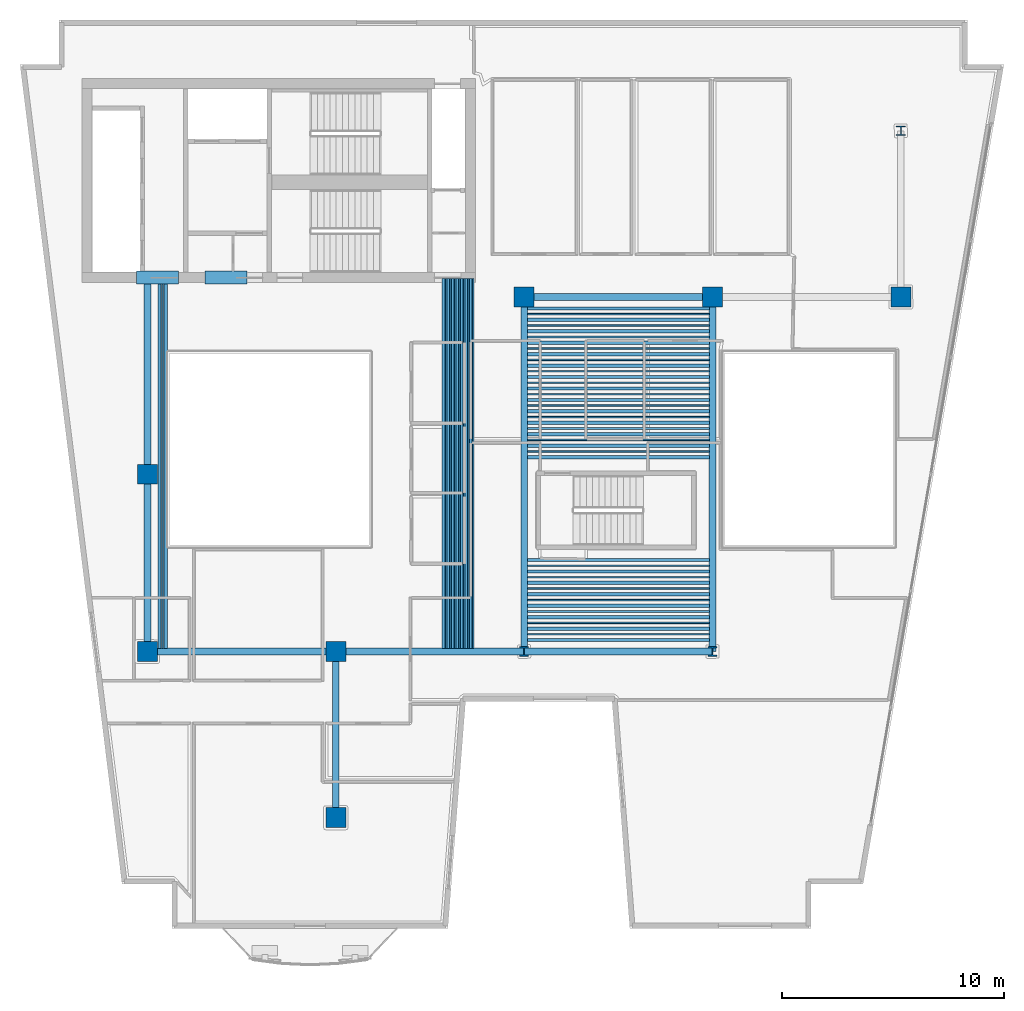
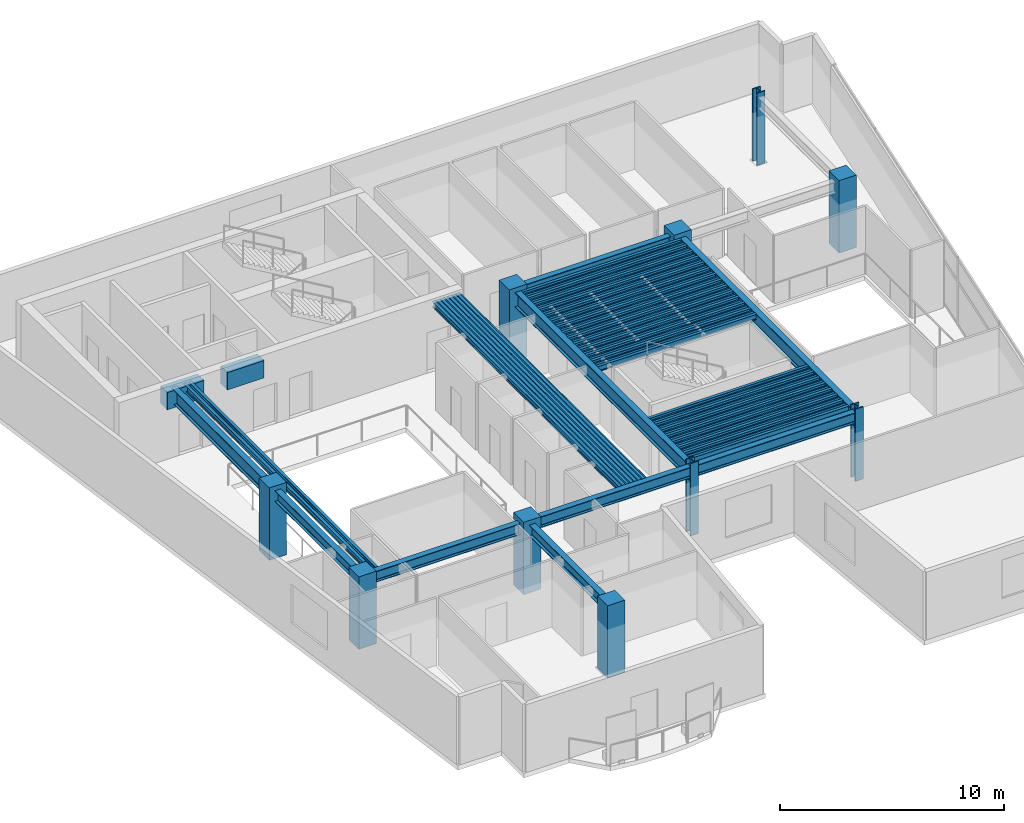
# One storey, part 1 of 10: 70 beams, 10 columns.
"""IFC4 building model written with IfcOpenShell, lengths in metres."""

from ifc_helpers import new_model, si_unit, direction, frame, origin, origin_2d, place, context, subcontext, project, spatial, rectangle, hollow_rectangle, i_section, extrude, material, material_profile, profile_set, type_object, element, save


model = new_model("IFC4")

# Units and contexts
model_context = context("Model", 3, precision=1e-05, world=origin(), true_north=direction((0.0, 1.0)))
body_context = subcontext(model_context, "Body", "Model", "MODEL_VIEW")
ifc_project = project(units=[si_unit("LENGTHUNIT", "METRE"), si_unit("AREAUNIT", "SQUARE_METRE"), si_unit("VOLUMEUNIT", "CUBIC_METRE"), si_unit("PLANEANGLEUNIT", "RADIAN"), si_unit("MASSUNIT", "GRAM", prefix="KILO")], contexts=[model_context])

# Site, building, storey
site_placement = place(None, origin())
site = spatial("IfcSite", under=ifc_project, at=site_placement, CompositionType="ELEMENT")
building_placement = place(site_placement, origin())
building = spatial("IfcBuilding", under=site, at=building_placement, Name="Caeloran Harvest Quay", CompositionType="ELEMENT")
storey_placement = place(building_placement, frame((0.0, 0.0, 219.300048828125)))
storey = spatial("IfcBuildingStorey", under=building, at=storey_placement, Name="L52", CompositionType="ELEMENT", Elevation=219.300048828125)

# Columns
ifc_material_1 = material(Name="Concrete C60/75", Category="concrete")
ifc_material_profile_1 = material_profile(ifc_material_1, rectangle(XDim=0.89990234375, YDim=0.89990234375, at=origin_2d()), Name="RC 900x900")
ifc_profile_set_1 = profile_set([ifc_material_profile_1], Name="Concrete C60/75")
column_type_1 = type_object("IfcColumnType", Name="COL-MC-4-RC_900x900", PredefinedType="COLUMN", material=ifc_profile_set_1)
for number, where, z_axis, x_axis, name in (
    (1, (8.5, 15.0, 0.0), (0.0, 0.0, 1.0), (1.0, 0.0, 0.0), "L52 Structural Column (8.5, 15.0)"),
    (2, (8.5, 23.0, 0.0), (0.0, 0.0, 1.0), (1.0, 0.0, 0.0), "L52 Structural Column (8.5, 23.0)"),
    (3, (17.0, 7.5, 0.0), (0.0, 0.0, 1.0), (1.0, 0.0, 0.0), "L52 Structural Column (17.0, 7.5)"),
    (4, (17.0, 15.0, 0.0), (0.0, 0.0, 1.0), (1.0, 0.0, 0.0), "L52 Structural Column (17.0, 15.0)"),
    (5, (25.5, 31.0, 0.0), (0.0, 0.0, 1.0), (1.0, 0.0, 0.0), "L52 Structural Column (25.5, 31.0)"),
    (6, (34.0, 31.0, 0.0), (0.0, 0.0, 1.0), (1.0, 0.0, 0.0), "L52 Structural Column (34.0, 31.0)"),
    (7, (42.5, 31.0, 0.0), (0.0, 0.0, 1.0), (1.0, 0.0, 0.0), "L52 Structural Column (42.5, 31.0)"),
):
    element("IfcColumn", number, at=place(storey_placement, frame(where, z_axis=z_axis, x_axis=x_axis)), inside=storey, type_object=column_type_1, Name=name, PredefinedType="COLUMN", context=body_context, shape_type="SweptSolid", body=[
        extrude(rectangle(XDim=0.89990234375, YDim=0.89990234375, at=origin_2d()), origin(), (0.0, 0.0, 1.0), 3.949951171875),
    ])
ifc_material_2 = material(Name="Steel HISTAR 460", Category="steel")
ifc_material_profile_2 = material_profile(ifc_material_2, i_section(OverallWidth=0.416015625, OverallDepth=0.446044921875, WebThickness=0.0390625, FlangeThickness=0.062744140625, FilletRadius=0.014892578125, at=origin_2d()), Name="HD 400x509")
ifc_profile_set_2 = profile_set([ifc_material_profile_2], Name="Steel HISTAR 460")
column_type_2 = type_object("IfcColumnType", Name="COL-SC-4-HD_400x509", PredefinedType="COLUMN", material=ifc_profile_set_2)
for number, where, z_axis, x_axis, name in (
    (8, (25.5, 15.0, 0.0), (0.0, 0.0, 1.0), (1.0, 0.0, 0.0), "L52 Structural Column (25.5, 15.0)"),
    (9, (34.0, 15.0, 0.0), (0.0, 0.0, 1.0), (1.0, 0.0, 0.0), "L52 Structural Column (34.0, 15.0)"),
    (10, (42.5, 38.5, 0.0), (0.0, 0.0, 1.0), (1.0, 0.0, 0.0), "L52 Structural Column (42.5, 38.5)"),
):
    element("IfcColumn", number, at=place(storey_placement, frame(where, z_axis=z_axis, x_axis=x_axis)), inside=storey, type_object=column_type_2, Name=name, PredefinedType="COLUMN", context=body_context, shape_type="SweptSolid", body=[
        extrude(i_section(OverallWidth=0.416015625, OverallDepth=0.446044921875, WebThickness=0.0390625, FlangeThickness=0.062744140625, FilletRadius=0.014892578125, at=origin_2d()), origin(), (0.0, 0.0, 1.0), 3.949951171875),
    ])

# Beams
ifc_material_profile_3 = material_profile(ifc_material_1, rectangle(XDim=0.60009765625, YDim=0.949951171875, at=origin_2d()), Name="RC 600x950")
ifc_profile_set_3 = profile_set([ifc_material_profile_3], Name="Concrete C60/75")
beam_type_1 = type_object("IfcBeamType", Name="BM-CB-2-RC_600x950", PredefinedType="LINTEL", material=ifc_profile_set_3)
for number, where, z_axis, x_axis, name in (
    (11, (8.0, 31.875, 3.224853515625), (1.0, 0.0, 0.0), (0.0, 1.0, 0.0), "L52 Core Coupling Beam 1"),
    (12, (11.10009765625, 31.875, 3.224853515625), (1.0, 0.0, 0.0), (0.0, 1.0, 0.0), "L52 Core Coupling Beam 2"),
):
    element("IfcBeam", number, at=place(storey_placement, frame(where, z_axis=z_axis, x_axis=x_axis)), inside=storey, type_object=beam_type_1, Name=name, PredefinedType="LINTEL", context=body_context, shape_type="SweptSolid", body=[
        extrude(rectangle(XDim=0.60009765625, YDim=0.949951171875, at=origin_2d()), origin(), (0.0, 0.0, 1.0), 1.89990234375),
    ])
ifc_material_3 = material(Name="Steel S355J2", Category="steel")
ifc_material_profile_4 = material_profile(ifc_material_3, i_section(OverallWidth=0.300048828125, OverallDepth=0.800048828125, WebThickness=0.017578125, FlangeThickness=0.032958984375, FilletRadius=0.030029296875, at=origin_2d()), Name="HE 800 B")
ifc_profile_set_4 = profile_set([ifc_material_profile_4], Name="Steel S355J2")
beam_type_2 = type_object("IfcBeamType", Name="BM-PG-1-HE_800_B", PredefinedType="BEAM", material=ifc_profile_set_4)
beam_1_placement = place(storey_placement, frame((8.5, 23.0, 3.300048828125), z_axis=(0.0, 1.0, 0.0), x_axis=(-1.0, 0.0, 0.0)))
element("IfcBeam", 13, at=beam_1_placement, inside=storey, type_object=beam_type_2, Name="L52 Core South Tie Girder X=8.5", PredefinedType="BEAM", context=body_context, shape_type="SweptSolid", body=[
    extrude(i_section(OverallWidth=0.300048828125, OverallDepth=0.800048828125, WebThickness=0.017578125, FlangeThickness=0.032958984375, FilletRadius=0.030029296875, at=origin_2d()), origin(), (0.0, 0.0, 1.0), 8.824951171875),
])
for number, where, z_axis, x_axis, name in (
    (14, (25.5, 15.0, 3.300048828125), (0.0, 1.0, 0.0), (-1.0, 0.0, 0.0), "L52 Primary North-South Girder X=25.5"),
    (15, (34.0, 15.0, 3.300048828125), (0.0, 1.0, 0.0), (-1.0, 0.0, 0.0), "L52 Primary North-South Girder X=34.0"),
):
    element("IfcBeam", number, at=place(storey_placement, frame(where, z_axis=z_axis, x_axis=x_axis)), inside=storey, type_object=beam_type_2, Name=name, PredefinedType="BEAM", context=body_context, shape_type="SweptSolid", body=[
        extrude(i_section(OverallWidth=0.300048828125, OverallDepth=0.800048828125, WebThickness=0.017578125, FlangeThickness=0.032958984375, FilletRadius=0.030029296875, at=origin_2d()), origin(), (0.0, 0.0, 1.0), 16.0),
    ])
ifc_material_profile_5 = material_profile(ifc_material_3, i_section(OverallWidth=0.300048828125, OverallDepth=0.60009765625, WebThickness=0.015380859375, FlangeThickness=0.030029296875, FilletRadius=0.027099609375, at=origin_2d()), Name="HE 600 B")
ifc_profile_set_5 = profile_set([ifc_material_profile_5], Name="Steel S355J2")
beam_type_3 = type_object("IfcBeamType", Name="BM-PG-3-HE_600_B", PredefinedType="BEAM", material=ifc_profile_set_5)
for number, where, z_axis, x_axis, name in (
    (16, (8.5, 15.0, 3.39990234375), (1.0, 0.0, 0.0), (0.0, 1.0, 0.0), "L52 Primary East-West Girder Y=15.0"),
    (17, (17.0, 15.0, 3.39990234375), (1.0, 0.0, 0.0), (0.0, 1.0, 0.0), "L52 Primary East-West Girder Y=15.0"),
    (18, (25.5, 15.0, 3.39990234375), (1.0, 0.0, 0.0), (0.0, 1.0, 0.0), "L52 Primary East-West Girder Y=15.0"),
    (19, (25.5, 31.0, 3.39990234375), (1.0, 0.0, 0.0), (0.0, 1.0, 0.0), "L52 Primary East-West Girder Y=31.0"),
):
    element("IfcBeam", number, at=place(storey_placement, frame(where, z_axis=z_axis, x_axis=x_axis)), inside=storey, type_object=beam_type_3, Name=name, PredefinedType="BEAM", context=body_context, shape_type="SweptSolid", body=[
        extrude(i_section(OverallWidth=0.300048828125, OverallDepth=0.60009765625, WebThickness=0.015380859375, FlangeThickness=0.030029296875, FilletRadius=0.027099609375, at=origin_2d()), origin(), (0.0, 0.0, 1.0), 8.5),
    ])
beam_2_placement = place(storey_placement, frame((8.5, 15.0, 3.39990234375), z_axis=(0.0, 1.0, 0.0), x_axis=(-1.0, 0.0, 0.0)))
element("IfcBeam", 20, at=beam_2_placement, inside=storey, type_object=beam_type_3, Name="L52 Primary North-South Girder X=8.5", PredefinedType="BEAM", context=body_context, shape_type="SweptSolid", body=[
    extrude(i_section(OverallWidth=0.300048828125, OverallDepth=0.60009765625, WebThickness=0.015380859375, FlangeThickness=0.030029296875, FilletRadius=0.027099609375, at=origin_2d()), origin(), (0.0, 0.0, 1.0), 8.0),
])
beam_3_placement = place(storey_placement, frame((17.0, 7.5, 3.39990234375), z_axis=(0.0, 1.0, 0.0), x_axis=(-1.0, 0.0, 0.0)))
element("IfcBeam", 21, at=beam_3_placement, inside=storey, type_object=beam_type_3, Name="L52 Primary North-South Girder X=17.0", PredefinedType="BEAM", context=body_context, shape_type="SweptSolid", body=[
    extrude(i_section(OverallWidth=0.300048828125, OverallDepth=0.60009765625, WebThickness=0.015380859375, FlangeThickness=0.030029296875, FilletRadius=0.027099609375, at=origin_2d()), origin(), (0.0, 0.0, 1.0), 7.5),
])
ifc_material_profile_6 = material_profile(ifc_material_3, i_section(OverallWidth=0.14990234375, OverallDepth=0.300048828125, WebThickness=0.007080078125, FlangeThickness=0.0107421875, FilletRadius=0.014892578125, at=origin_2d()), Name="IPE 300")
ifc_profile_set_6 = profile_set([ifc_material_profile_6], Name="Steel S355J2")
beam_type_4 = type_object("IfcBeamType", Name="BM-SB-6-IPE_300", PredefinedType="JOIST", material=ifc_profile_set_6)
for number, where, z_axis, x_axis, name in (
    (22, (9.04833984375, 15.14501953125, 3.550048828125), (0.0, 1.0, 0.0), (-1.0, 0.0, 0.0), "L52 Secondary Composite Joist"),
    (23, (9.322509765625, 15.14501953125, 3.550048828125), (0.0, 1.0, 0.0), (-1.0, 0.0, 0.0), "L52 Secondary Composite Joist"),
    (24, (21.87744140625, 15.14501953125, 3.550048828125), (0.0, 1.0, 0.0), (-1.0, 0.0, 0.0), "L52 Secondary Composite Joist"),
    (25, (22.08056640625, 15.14501953125, 3.550048828125), (0.0, 1.0, 0.0), (-1.0, 0.0, 0.0), "L52 Secondary Composite Joist"),
    (26, (22.283935546875, 15.14501953125, 3.550048828125), (0.0, 1.0, 0.0), (-1.0, 0.0, 0.0), "L52 Secondary Composite Joist"),
    (27, (22.487060546875, 15.14501953125, 3.550048828125), (0.0, 1.0, 0.0), (-1.0, 0.0, 0.0), "L52 Secondary Composite Joist"),
    (28, (22.690185546875, 15.14501953125, 3.550048828125), (0.0, 1.0, 0.0), (-1.0, 0.0, 0.0), "L52 Secondary Composite Joist"),
    (29, (22.8935546875, 15.14501953125, 3.550048828125), (0.0, 1.0, 0.0), (-1.0, 0.0, 0.0), "L52 Secondary Composite Joist"),
    (30, (23.0966796875, 15.14501953125, 3.550048828125), (0.0, 1.0, 0.0), (-1.0, 0.0, 0.0), "L52 Secondary Composite Joist"),
):
    element("IfcBeam", number, at=place(storey_placement, frame(where, z_axis=z_axis, x_axis=x_axis)), inside=storey, type_object=beam_type_4, Name=name, PredefinedType="JOIST", context=body_context, shape_type="SweptSolid", body=[
        extrude(i_section(OverallWidth=0.14990234375, OverallDepth=0.300048828125, WebThickness=0.007080078125, FlangeThickness=0.0107421875, FilletRadius=0.014892578125, at=origin_2d()), origin(), (0.0, 0.0, 1.0), 16.679931640625),
    ])
for number, where, z_axis, x_axis, name in (
    (31, (25.64501953125, 15.51611328125, 3.550048828125), (1.0, 0.0, 0.0), (0.0, 1.0, 0.0), "L52 Secondary East-West Composite Joist"),
    (32, (25.64501953125, 16.0322265625, 3.550048828125), (1.0, 0.0, 0.0), (0.0, 1.0, 0.0), "L52 Secondary East-West Composite Joist"),
    (33, (25.64501953125, 16.54833984375, 3.550048828125), (1.0, 0.0, 0.0), (0.0, 1.0, 0.0), "L52 Secondary East-West Composite Joist"),
    (34, (25.64501953125, 17.064453125, 3.550048828125), (1.0, 0.0, 0.0), (0.0, 1.0, 0.0), "L52 Secondary East-West Composite Joist"),
    (35, (25.64501953125, 17.58056640625, 3.550048828125), (1.0, 0.0, 0.0), (0.0, 1.0, 0.0), "L52 Secondary East-West Composite Joist"),
    (36, (25.64501953125, 18.0966796875, 3.550048828125), (1.0, 0.0, 0.0), (0.0, 1.0, 0.0), "L52 Secondary East-West Composite Joist"),
    (37, (25.64501953125, 18.61279296875, 3.550048828125), (1.0, 0.0, 0.0), (0.0, 1.0, 0.0), "L52 Secondary East-West Composite Joist"),
    (38, (25.64501953125, 19.12890625, 3.550048828125), (1.0, 0.0, 0.0), (0.0, 1.0, 0.0), "L52 Secondary East-West Composite Joist"),
    (39, (25.64501953125, 23.774169921875, 3.550048828125), (1.0, 0.0, 0.0), (0.0, 1.0, 0.0), "L52 Secondary East-West Composite Joist"),
    (40, (25.64501953125, 24.290283203125, 3.550048828125), (1.0, 0.0, 0.0), (0.0, 1.0, 0.0), "L52 Secondary East-West Composite Joist"),
    (41, (25.64501953125, 24.806396484375, 3.550048828125), (1.0, 0.0, 0.0), (0.0, 1.0, 0.0), "L52 Secondary East-West Composite Joist"),
    (42, (25.64501953125, 25.322509765625, 3.550048828125), (1.0, 0.0, 0.0), (0.0, 1.0, 0.0), "L52 Secondary East-West Composite Joist"),
    (43, (25.64501953125, 25.838623046875, 3.550048828125), (1.0, 0.0, 0.0), (0.0, 1.0, 0.0), "L52 Secondary East-West Composite Joist"),
    (44, (25.64501953125, 26.354736328125, 3.550048828125), (1.0, 0.0, 0.0), (0.0, 1.0, 0.0), "L52 Secondary East-West Composite Joist"),
    (45, (25.64501953125, 26.87109375, 3.550048828125), (1.0, 0.0, 0.0), (0.0, 1.0, 0.0), "L52 Secondary East-West Composite Joist"),
    (46, (25.64501953125, 27.38720703125, 3.550048828125), (1.0, 0.0, 0.0), (0.0, 1.0, 0.0), "L52 Secondary East-West Composite Joist"),
    (47, (25.64501953125, 27.9033203125, 3.550048828125), (1.0, 0.0, 0.0), (0.0, 1.0, 0.0), "L52 Secondary East-West Composite Joist"),
    (48, (25.64501953125, 28.41943359375, 3.550048828125), (1.0, 0.0, 0.0), (0.0, 1.0, 0.0), "L52 Secondary East-West Composite Joist"),
    (49, (25.64501953125, 28.935546875, 3.550048828125), (1.0, 0.0, 0.0), (0.0, 1.0, 0.0), "L52 Secondary East-West Composite Joist"),
    (50, (25.64501953125, 29.45166015625, 3.550048828125), (1.0, 0.0, 0.0), (0.0, 1.0, 0.0), "L52 Secondary East-West Composite Joist"),
    (51, (25.64501953125, 29.9677734375, 3.550048828125), (1.0, 0.0, 0.0), (0.0, 1.0, 0.0), "L52 Secondary East-West Composite Joist"),
    (52, (25.64501953125, 30.48388671875, 3.550048828125), (1.0, 0.0, 0.0), (0.0, 1.0, 0.0), "L52 Secondary East-West Composite Joist"),
):
    element("IfcBeam", number, at=place(storey_placement, frame(where, z_axis=z_axis, x_axis=x_axis)), inside=storey, type_object=beam_type_4, Name=name, PredefinedType="JOIST", context=body_context, shape_type="SweptSolid", body=[
        extrude(i_section(OverallWidth=0.14990234375, OverallDepth=0.300048828125, WebThickness=0.007080078125, FlangeThickness=0.0107421875, FilletRadius=0.014892578125, at=origin_2d()), origin(), (0.0, 0.0, 1.0), 8.2099609375),
    ])
ifc_material_profile_7 = material_profile(ifc_material_3, hollow_rectangle(XDim=0.080078125, YDim=0.199951171875, WallThickness=0.006103515625, InnerFilletRadius=0.006103515625, OuterFilletRadius=0.009033203125, at=origin_2d()), Name="RHS 200x80x6")
ifc_profile_set_7 = profile_set([ifc_material_profile_7], Name="Steel S355J2")
beam_type_5 = type_object("IfcBeamType", Name="BM-SB-7-RHS_200x80x6", PredefinedType="JOIST", material=ifc_profile_set_7)
for number, where, z_axis, x_axis, name in (
    (53, (9.185546875, 15.14501953125, 3.599853515625), (0.0, 1.0, 0.0), (-1.0, 0.0, 0.0), "L52 Secondary Composite Joist"),
    (54, (21.97900390625, 15.14501953125, 3.599853515625), (0.0, 1.0, 0.0), (-1.0, 0.0, 0.0), "L52 Secondary Composite Joist"),
    (55, (22.182373046875, 15.14501953125, 3.599853515625), (0.0, 1.0, 0.0), (-1.0, 0.0, 0.0), "L52 Secondary Composite Joist"),
    (56, (22.385498046875, 15.14501953125, 3.599853515625), (0.0, 1.0, 0.0), (-1.0, 0.0, 0.0), "L52 Secondary Composite Joist"),
    (57, (22.588623046875, 15.14501953125, 3.599853515625), (0.0, 1.0, 0.0), (-1.0, 0.0, 0.0), "L52 Secondary Composite Joist"),
    (58, (22.7919921875, 15.14501953125, 3.599853515625), (0.0, 1.0, 0.0), (-1.0, 0.0, 0.0), "L52 Secondary Composite Joist"),
    (59, (22.9951171875, 15.14501953125, 3.599853515625), (0.0, 1.0, 0.0), (-1.0, 0.0, 0.0), "L52 Secondary Composite Joist"),
    (60, (23.198486328125, 15.14501953125, 3.599853515625), (0.0, 1.0, 0.0), (-1.0, 0.0, 0.0), "L52 Secondary Composite Joist"),
):
    element("IfcBeam", number, at=place(storey_placement, frame(where, z_axis=z_axis, x_axis=x_axis)), inside=storey, type_object=beam_type_5, Name=name, PredefinedType="JOIST", context=body_context, shape_type="SweptSolid", body=[
        extrude(hollow_rectangle(XDim=0.080078125, YDim=0.199951171875, WallThickness=0.006103515625, InnerFilletRadius=0.006103515625, OuterFilletRadius=0.009033203125, at=origin_2d()), origin(), (0.0, 0.0, 1.0), 16.679931640625),
    ])
for number, where, z_axis, x_axis, name in (
    (61, (25.64501953125, 15.774169921875, 3.599853515625), (1.0, 0.0, 0.0), (0.0, 1.0, 0.0), "L52 Secondary East-West Composite Joist"),
    (62, (25.64501953125, 16.290283203125, 3.599853515625), (1.0, 0.0, 0.0), (0.0, 1.0, 0.0), "L52 Secondary East-West Composite Joist"),
    (63, (25.64501953125, 16.806396484375, 3.599853515625), (1.0, 0.0, 0.0), (0.0, 1.0, 0.0), "L52 Secondary East-West Composite Joist"),
    (64, (25.64501953125, 17.322509765625, 3.599853515625), (1.0, 0.0, 0.0), (0.0, 1.0, 0.0), "L52 Secondary East-West Composite Joist"),
    (65, (25.64501953125, 17.838623046875, 3.599853515625), (1.0, 0.0, 0.0), (0.0, 1.0, 0.0), "L52 Secondary East-West Composite Joist"),
    (66, (25.64501953125, 18.354736328125, 3.599853515625), (1.0, 0.0, 0.0), (0.0, 1.0, 0.0), "L52 Secondary East-West Composite Joist"),
    (67, (25.64501953125, 18.87109375, 3.599853515625), (1.0, 0.0, 0.0), (0.0, 1.0, 0.0), "L52 Secondary East-West Composite Joist"),
    (68, (25.64501953125, 24.0322265625, 3.599853515625), (1.0, 0.0, 0.0), (0.0, 1.0, 0.0), "L52 Secondary East-West Composite Joist"),
    (69, (25.64501953125, 24.54833984375, 3.599853515625), (1.0, 0.0, 0.0), (0.0, 1.0, 0.0), "L52 Secondary East-West Composite Joist"),
    (70, (25.64501953125, 25.064453125, 3.599853515625), (1.0, 0.0, 0.0), (0.0, 1.0, 0.0), "L52 Secondary East-West Composite Joist"),
    (71, (25.64501953125, 25.58056640625, 3.599853515625), (1.0, 0.0, 0.0), (0.0, 1.0, 0.0), "L52 Secondary East-West Composite Joist"),
    (72, (25.64501953125, 26.0966796875, 3.599853515625), (1.0, 0.0, 0.0), (0.0, 1.0, 0.0), "L52 Secondary East-West Composite Joist"),
    (73, (25.64501953125, 26.61279296875, 3.599853515625), (1.0, 0.0, 0.0), (0.0, 1.0, 0.0), "L52 Secondary East-West Composite Joist"),
    (74, (25.64501953125, 27.12890625, 3.599853515625), (1.0, 0.0, 0.0), (0.0, 1.0, 0.0), "L52 Secondary East-West Composite Joist"),
    (75, (25.64501953125, 27.645263671875, 3.599853515625), (1.0, 0.0, 0.0), (0.0, 1.0, 0.0), "L52 Secondary East-West Composite Joist"),
    (76, (25.64501953125, 28.161376953125, 3.599853515625), (1.0, 0.0, 0.0), (0.0, 1.0, 0.0), "L52 Secondary East-West Composite Joist"),
    (77, (25.64501953125, 28.677490234375, 3.599853515625), (1.0, 0.0, 0.0), (0.0, 1.0, 0.0), "L52 Secondary East-West Composite Joist"),
    (78, (25.64501953125, 29.193603515625, 3.599853515625), (1.0, 0.0, 0.0), (0.0, 1.0, 0.0), "L52 Secondary East-West Composite Joist"),
    (79, (25.64501953125, 29.709716796875, 3.599853515625), (1.0, 0.0, 0.0), (0.0, 1.0, 0.0), "L52 Secondary East-West Composite Joist"),
    (80, (25.64501953125, 30.225830078125, 3.599853515625), (1.0, 0.0, 0.0), (0.0, 1.0, 0.0), "L52 Secondary East-West Composite Joist"),
):
    element("IfcBeam", number, at=place(storey_placement, frame(where, z_axis=z_axis, x_axis=x_axis)), inside=storey, type_object=beam_type_5, Name=name, PredefinedType="JOIST", context=body_context, shape_type="SweptSolid", body=[
        extrude(hollow_rectangle(XDim=0.080078125, YDim=0.199951171875, WallThickness=0.006103515625, InnerFilletRadius=0.006103515625, OuterFilletRadius=0.009033203125, at=origin_2d()), origin(), (0.0, 0.0, 1.0), 8.2099609375),
    ])

save(model, "model.ifc")
